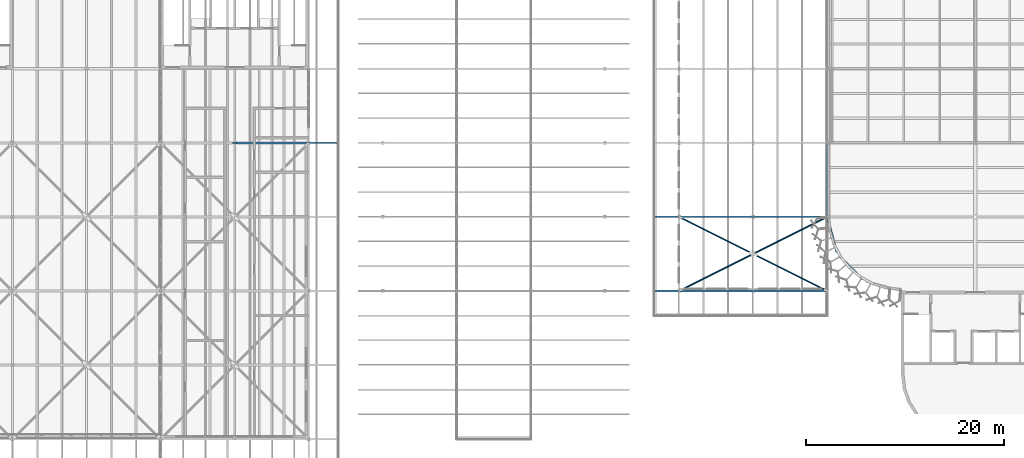
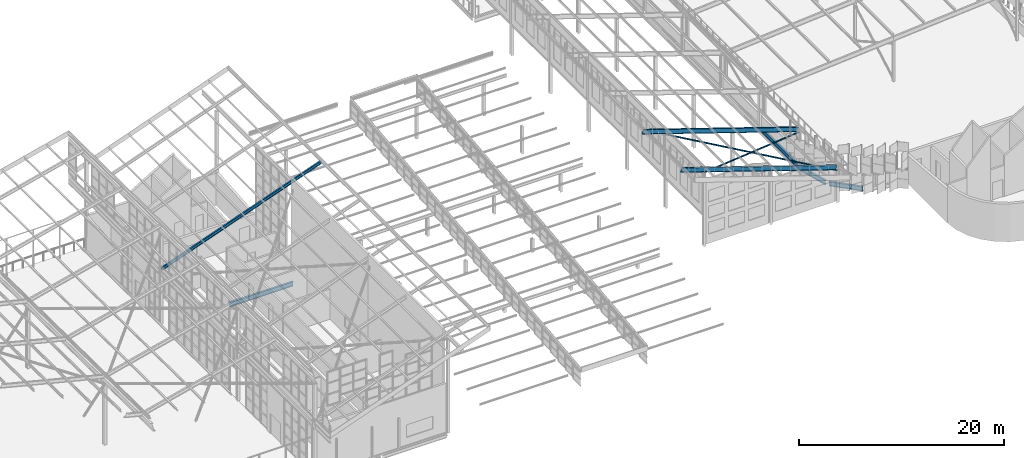
# One storey, part 58 of 483: 6 beams, 4 members.
"""IFC4 building model written with IfcOpenShell, lengths in metres."""

import ifcopenshell
import ifcopenshell.guid

model = None  # the IFC model being written
_history = None  # IfcOwnerHistory: only IFC2X3 demands one
_inside = {}  # id of a spatial element -> (the spatial element, [elements in it])
_under = {}  # id of a project, library or spatial element -> (it, [spatial elements below it])
_declared = {}  # id of a project -> (the project, [libraries it declares])
_typed = {}  # id of a type object -> (the type object, [elements of that type])
_made_of = {}  # id of a material, layer set ... -> (it, [elements and type objects made of it])


def new_model(schema):
    """Start an empty IFC model of exactly this schema.

    Asked for "IFC4X3", IfcOpenShell would pick the latest addendum, in which some entities
    have other attributes; the version numbers below select the first issue.
    IFC2X3 requires an IfcOwnerHistory on every rooted entity: one is made here for all.
    """
    global model, _history
    if schema == "IFC4X3":
        model = ifcopenshell.file(schema_version=(4, 3, 0, 0))
    else:
        model = ifcopenshell.file(schema=schema)
    _inside.clear()
    _under.clear()
    _declared.clear()
    _typed.clear()
    _made_of.clear()
    _history = None
    if model.schema == "IFC2X3":
        org = make("IfcOrganization", Name="unknown")
        user = make(
            "IfcPersonAndOrganization",
            ThePerson=make("IfcPerson", FamilyName="unknown"),
            TheOrganization=org,
        )
        app = make(
            "IfcApplication",
            ApplicationDeveloper=org,
            Version="unknown",
            ApplicationFullName="unknown",
            ApplicationIdentifier="unknown",
        )
        _history = make(
            "IfcOwnerHistory",
            OwningUser=user,
            OwningApplication=app,
            ChangeAction="ADDED",
            CreationDate=0,
        )
    return model


def make(cls, **values):
    """One entity of the class cls with the attributes given. An attribute that is None is left unset."""
    return model.create_entity(
        cls, **{name: value for name, value in values.items() if value is not None}
    )


def rooted(cls, **values):
    """An entity with a GlobalId (a new one), such as an element, a storey or a relation."""
    return make(cls, GlobalId=ifcopenshell.guid.new(), OwnerHistory=_history, **values)


def si_unit(unit_type, name, prefix=None):
    """IfcSIUnit, for example si_unit("LENGTHUNIT", "METRE", prefix="MILLI")."""
    return make("IfcSIUnit", UnitType=unit_type, Prefix=prefix, Name=name)


def assignment(units):
    """IfcUnitAssignment: the units of a project."""
    return None if units is None else make("IfcUnitAssignment", Units=units)


def point(xyz):
    """IfcCartesianPoint."""
    return None if xyz is None else make("IfcCartesianPoint", Coordinates=xyz)


def direction(xyz):
    """IfcDirection."""
    return None if xyz is None else make("IfcDirection", DirectionRatios=xyz)


def frame(location, z_axis=None, x_axis=None):
    """IfcAxis2Placement3D, a coordinate frame: its origin and axes. An axis left out is left unset."""
    return make(
        "IfcAxis2Placement3D",
        Location=point(location),
        Axis=direction(z_axis),
        RefDirection=direction(x_axis),
    )


def frame_2d(location, x_axis=None):
    """IfcAxis2Placement2D, a coordinate frame in the plane: its origin and x axis."""
    return make(
        "IfcAxis2Placement2D", Location=point(location), RefDirection=direction(x_axis)
    )


def origin():
    """The frame at (0, 0, 0) with its axes left unset."""
    return frame((0.0, 0.0, 0.0))


def origin_2d():
    """The frame at (0, 0) in the plane with its x axis left unset."""
    return frame_2d((0.0, 0.0))


def place(relative_to, where):
    """IfcLocalPlacement: puts the frame where relative to a parent placement (None: the world)."""
    return make(
        "IfcLocalPlacement", PlacementRelTo=relative_to, RelativePlacement=where
    )


def context(
    kind, dimensions, precision=None, world=None, true_north=None, identifier=None
):
    """IfcGeometricRepresentationContext, for example the 3D "Model" context."""
    return make(
        "IfcGeometricRepresentationContext",
        ContextIdentifier=identifier,
        ContextType=kind,
        CoordinateSpaceDimension=dimensions,
        Precision=precision,
        WorldCoordinateSystem=world,
        TrueNorth=true_north,
    )


def subcontext(parent, identifier, kind, view, scale=None):
    """IfcGeometricRepresentationSubContext, for example "Body" below "Model"."""
    return make(
        "IfcGeometricRepresentationSubContext",
        ContextIdentifier=identifier,
        ContextType=kind,
        ParentContext=parent,
        TargetScale=scale,
        TargetView=view,
    )


def project(units=None, contexts=None):
    """IfcProject with its units and contexts."""
    return rooted(
        "IfcProject",
        Name="project",
        RepresentationContexts=contexts,
        UnitsInContext=assignment(units),
    )


def spatial(cls, under=None, at=None, **own):
    """A site, building, storey or space (cls), placed at a placement, below another one or the project."""
    s = rooted(cls, ObjectPlacement=at, **own)
    if under is not None:
        _under.setdefault(under.id(), (under, []))[1].append(s)
    return s


def profile(cls, at=None, kind="AREA", **sizes):
    """A parametric profile (cls). Its sizes go by their IFC names, for example OverallWidth=200.0."""
    return make(cls, ProfileType=kind, Position=at, **sizes)


def hollow_circle(**sizes):
    """IfcCircleHollowProfileDef."""
    return profile("IfcCircleHollowProfileDef", **sizes)


def i_section(**sizes):
    """IfcIShapeProfileDef."""
    return profile("IfcIShapeProfileDef", **sizes)


def extrude(swept, where, along, depth):
    """IfcExtrudedAreaSolid: the profile swept, set in the frame where, extruded along a direction by depth."""
    return make(
        "IfcExtrudedAreaSolid",
        SweptArea=swept,
        Position=where,
        ExtrudedDirection=direction(along),
        Depth=depth,
    )


def shape(context_of_items, identifier, shape_type, items):
    """IfcShapeRepresentation: the items that make up one representation, for example the "Body"."""
    return make(
        "IfcShapeRepresentation",
        ContextOfItems=context_of_items,
        RepresentationIdentifier=identifier,
        RepresentationType=shape_type,
        Items=items,
    )


def material(Name=None, Category=None):
    """IfcMaterial."""
    return make("IfcMaterial", Name=Name, Category=Category)


def material_profile(
    of_material, cross_section, Name=None, Category=None, Priority=None
):
    """IfcMaterialProfile: a cross section and its material."""
    return make(
        "IfcMaterialProfile",
        Name=Name,
        Material=of_material,
        Profile=cross_section,
        Priority=Priority,
        Category=Category,
    )


def profile_set(profiles, Name=None, composite=None):
    """IfcMaterialProfileSet."""
    return make(
        "IfcMaterialProfileSet",
        Name=Name,
        MaterialProfiles=profiles,
        CompositeProfile=composite,
    )


def made_of(thing, what):
    """Note that an element or type object is made of a material, layer set ...; save() writes the relation."""
    if what is not None:
        _made_of.setdefault(what.id(), (what, []))[1].append(thing)
    return thing


def type_object(cls, material=None, **own):
    """A type object (cls), such as IfcWallType, which elements share."""
    return made_of(rooted(cls, **own), material)


def element(
    cls,
    number,
    at=None,
    inside=None,
    cuts=None,
    type_object=None,
    material=None,
    context=None,
    identifier="Body",
    shape_type=None,
    held_by="IfcProductDefinitionShape",
    body=None,
    shapes=None,
    **own,
):
    """One element of the class cls, such as IfcWall. Its Tag is "e" and its number.

    at: its placement. inside: the storey or other place that contains it. cuts: it is an
    opening in that element (IfcRelVoidsElement). A single representation is given by context,
    identifier, shape_type and body (its items); several are given by shapes. held_by: the class
    of the entity that holds the representations. save() writes the other relations.
    """
    e = rooted(cls, Tag="e%d" % number, ObjectPlacement=at, **own)
    if body is not None:
        shapes = [shape(context, identifier, shape_type, body)]
    if shapes is not None:
        e.Representation = make(held_by, Representations=shapes)
    if inside is not None:
        _inside.setdefault(inside.id(), (inside, []))[1].append(e)
    if cuts is not None:
        rooted(
            "IfcRelVoidsElement", RelatingBuildingElement=cuts, RelatedOpeningElement=e
        )
    if type_object is not None:
        _typed.setdefault(type_object.id(), (type_object, []))[1].append(e)
    return made_of(e, material)


def aggregate(whole, parts):
    """IfcRelAggregates: a whole, such as a stair, and the parts it consists of."""
    return rooted("IfcRelAggregates", RelatingObject=whole, RelatedObjects=parts)


def save(model, path):
    """Write the relations noted so far, then the file.

    IfcRelAggregates (storeys below a building ...), IfcRelContainedInSpatialStructure (elements
    in a storey), IfcRelDefinesByType, IfcRelAssociatesMaterial and IfcRelDeclares: one each for
    every whole, place, type object, material and project.
    """
    for whole, parts in _under.values():
        aggregate(whole, parts)
    for where, things in _inside.values():
        rooted(
            "IfcRelContainedInSpatialStructure",
            RelatedElements=things,
            RelatingStructure=where,
        )
    for kind, things in _typed.values():
        rooted("IfcRelDefinesByType", RelatedObjects=things, RelatingType=kind)
    for what, things in _made_of.values():
        rooted("IfcRelAssociatesMaterial", RelatedObjects=things, RelatingMaterial=what)
    for by, libraries in _declared.values():
        rooted("IfcRelDeclares", RelatingContext=by, RelatedDefinitions=libraries)
    model.write(path)


model = new_model("IFC4")

# Units and contexts
model_context = context("Model", 3, precision=1e-05, world=origin(), true_north=direction((0.0, 1.0)))
body_context = subcontext(model_context, "Body", "Model", "MODEL_VIEW")
ifc_project = project(units=[si_unit("LENGTHUNIT", "METRE"), si_unit("AREAUNIT", "SQUARE_METRE"), si_unit("VOLUMEUNIT", "CUBIC_METRE"), si_unit("PLANEANGLEUNIT", "RADIAN"), si_unit("MASSUNIT", "GRAM", prefix="KILO")], contexts=[model_context])

# Site, building, storey
site_placement = place(None, origin())
site = spatial("IfcSite", under=ifc_project, at=site_placement, CompositionType="ELEMENT")
building_placement = place(site_placement, origin())
building = spatial("IfcBuilding", under=site, at=building_placement, Name="Parallax Yard Mobility Hub", CompositionType="ELEMENT")
storey_placement = place(building_placement, frame((0.0, 0.0, 13.199951171875)))
storey = spatial("IfcBuildingStorey", under=building, at=storey_placement, Name="L04", CompositionType="ELEMENT", Elevation=13.199951171875)

# Members
ifc_material_1 = material(Name="Steel ASTM A500 Gr C", Category="steel")
ifc_material_profile_1 = material_profile(ifc_material_1, hollow_circle(Radius=0.084228515625, WallThickness=0.007080078125, at=origin_2d()), Name="HSS168.3x7.1")
ifc_profile_set_1 = profile_set([ifc_material_profile_1], Name="Steel ASTM A500 Gr C")
member_type_1 = type_object("IfcMemberType", Name="Roof brace HSS168.3x7.1", PredefinedType="BRACE", material=ifc_profile_set_1)
member_1_placement = place(storey_placement, frame((180.0, 22.5, 8.71142578125), z_axis=(0.857142857143, 0.428571428571, -0.285714285714), x_axis=(-0.4472135955, 0.894427191, 0.0)))
element("IfcMember", 1, at=member_1_placement, inside=storey, type_object=member_type_1, Name="Roof X brace end bay 1 1", PredefinedType="BRACE", context=body_context, shape_type="SweptSolid", body=[
    extrude(hollow_circle(Radius=0.084228515625, WallThickness=0.007080078125, at=origin_2d()), origin(), (0.0, 0.0, 1.0), 17.5),
])
for number, where, z_axis, x_axis, name in (
    (2, (195.0, 22.5, 3.71142578125), (-0.857149765539, 0.42857488277, 0.285688377949), (-0.4472135955, -0.894427191, 0.0), "Roof X brace end bay 1 2 (half 1)"),
    (3, (187.41796875, 26.291015625, 6.23876953125), (-0.857142857143, 0.428571428571, 0.285714285714), (-0.4472135955, -0.894427191, 0.0), "Roof X brace end bay 1 2 (half 2)"),
):
    element("IfcMember", number, at=place(storey_placement, frame(where, z_axis=z_axis, x_axis=x_axis)), inside=storey, type_object=member_type_1, Name=name, PredefinedType="BRACE", context=body_context, shape_type="SweptSolid", body=[
        extrude(hollow_circle(Radius=0.084228515625, WallThickness=0.007080078125, at=origin_2d()), origin(), (0.0, 0.0, 1.0), 8.654296875),
    ])
ifc_material_2 = material(Name="Steel ASTM A992", Category="steel")
ifc_material_profile_2 = material_profile(ifc_material_2, i_section(OverallWidth=0.1708984375, OverallDepth=0.35498046875, WebThickness=0.007080078125, FlangeThickness=0.01171875, at=origin_2d()), Name="W360x51")
ifc_profile_set_2 = profile_set([ifc_material_profile_2], Name="Steel ASTM A992")
member_type_2 = type_object("IfcMemberType", Name="Roof rafter W360x51", PredefinedType="RAFTER", material=ifc_profile_set_2)
member_2_placement = place(storey_placement, frame((127.56005859375, 37.5, 6.499267578125), z_axis=(0.940884475378, 0.0, 0.33872762508), x_axis=(0.0, 1.0, 0.0)))
element("IfcMember", 4, at=member_2_placement, inside=storey, type_object=member_type_2, Name="Roof rafter pavilion at y 37.5", PredefinedType="RAFTER", context=body_context, shape_type="SweptSolid", body=[
    extrude(i_section(OverallWidth=0.1708984375, OverallDepth=0.35498046875, WebThickness=0.007080078125, FlangeThickness=0.01171875, at=origin_2d()), origin(), (0.0, 0.0, 1.0), 19.07763671875),
])

# Beams
ifc_material_profile_3 = material_profile(ifc_material_2, i_section(OverallWidth=0.166015625, OverallDepth=0.529052734375, WebThickness=0.009765625, FlangeThickness=0.013671875, at=origin_2d()), Name="W530x74")
ifc_profile_set_3 = profile_set([ifc_material_profile_3], Name="Steel ASTM A992")
beam_type_1 = type_object("IfcBeamType", Name="Roof rafter W530x74", PredefinedType="BEAM", material=ifc_profile_set_3)
for number, where, z_axis, x_axis, name in (
    (5, (177.41650390625, 22.5, 9.93994140625), (0.948684621542, 0.0, -0.316223795515), (0.0, 1.0, 0.0), "Roof rafter at y 22.5"),
    (6, (177.41650390625, 30.0, 9.93994140625), (0.948684621542, 0.0, -0.316223795515), (0.0, 1.0, 0.0), "Roof rafter at y 30"),
):
    element("IfcBeam", number, at=place(storey_placement, frame(where, z_axis=z_axis, x_axis=x_axis)), inside=storey, type_object=beam_type_1, Name=name, PredefinedType="BEAM", context=body_context, shape_type="SweptSolid", body=[
        extrude(i_section(OverallWidth=0.166015625, OverallDepth=0.529052734375, WebThickness=0.009765625, FlangeThickness=0.013671875, at=origin_2d()), origin(), (0.0, 0.0, 1.0), 18.446533203125),
    ])
ifc_material_profile_4 = material_profile(ifc_material_2, i_section(OverallWidth=0.208984375, OverallDepth=0.532958984375, WebThickness=0.01025390625, FlangeThickness=0.015625, FilletRadius=0.0126953125, at=origin_2d()), Name="W530x92")
ifc_profile_set_4 = profile_set([ifc_material_profile_4], Name="Steel ASTM A992")
beam_type_2 = type_object("IfcBeamType", Name="W530x92 edge beam", PredefinedType="SPANDREL", material=ifc_profile_set_4)
beam_1_placement = place(storey_placement, frame((195.0, 30.153564453125, -0.406494140625), z_axis=(0.0, 1.0, 0.0), x_axis=(-1.0, 0.0, 0.0)))
element("IfcBeam", 7, at=beam_1_placement, inside=storey, type_object=beam_type_2, Name="Edge beam SB5 level L04, line 27 of ramped parking decks, span 1", PredefinedType="SPANDREL", context=body_context, shape_type="SweptSolid", body=[
    extrude(i_section(OverallWidth=0.208984375, OverallDepth=0.532958984375, WebThickness=0.01025390625, FlangeThickness=0.015625, FilletRadius=0.0126953125, at=origin_2d()), origin(), (0.0, 0.0, 1.0), 7.19384765625),
])
beam_2_placement = place(storey_placement, frame((195.041015625, 29.846435546875, -0.406494140625), z_axis=(0.258843360847, -0.965919310577, 0.0), x_axis=(0.965919310577, 0.258843360847, 0.0)))
element("IfcBeam", 8, at=beam_2_placement, inside=storey, type_object=beam_type_2, Name="Edge beam SB5 level L04, the south end of ramped parking decks, span 1", PredefinedType="SPANDREL", context=body_context, shape_type="SweptSolid", body=[
    extrude(i_section(OverallWidth=0.208984375, OverallDepth=0.532958984375, WebThickness=0.01025390625, FlangeThickness=0.015625, FilletRadius=0.0126953125, at=origin_2d()), origin(), (0.0, 0.0, 1.0), 3.564453125),
])
beam_3_placement = place(storey_placement, frame((196.1572265625, 26.097412109375, -0.406494140625), z_axis=(0.707106781187, -0.707106781187, 0.0), x_axis=(0.707106781187, 0.707106781187, 0.0)))
element("IfcBeam", 9, at=beam_3_placement, inside=storey, type_object=beam_type_2, Name="Edge beam SB5 level L04, the south end of ramped parking decks, span 2", PredefinedType="SPANDREL", context=body_context, shape_type="SweptSolid", body=[
    extrude(i_section(OverallWidth=0.208984375, OverallDepth=0.532958984375, WebThickness=0.01025390625, FlangeThickness=0.015625, FilletRadius=0.0126953125, at=origin_2d()), origin(), (0.0, 0.0, 1.0), 3.450927734375),
])
ifc_material_profile_5 = material_profile(ifc_material_2, i_section(OverallWidth=0.208984375, OverallDepth=0.532958984375, WebThickness=0.01025390625, FlangeThickness=0.015625, FilletRadius=0.0126953125, at=origin_2d()), Name="W530x92")
ifc_profile_set_5 = profile_set([ifc_material_profile_5], Name="Steel ASTM A992")
beam_type_3 = type_object("IfcBeamType", Name="W530x92 longitudinal beam", PredefinedType="BEAM", material=ifc_profile_set_5)
beam_4_placement = place(storey_placement, frame((135.197021484375, 37.5, -0.406494140625), z_axis=(1.0, 0.0, 0.0), x_axis=(0.0, 1.0, 0.0)))
element("IfcBeam", 10, at=beam_4_placement, inside=storey, type_object=beam_type_3, Name="Longitudinal beam SB6 level L04, line F of mobility service centre and workshops, span 6", PredefinedType="BEAM", context=body_context, shape_type="SweptSolid", body=[
    extrude(i_section(OverallWidth=0.208984375, OverallDepth=0.532958984375, WebThickness=0.01025390625, FlangeThickness=0.015625, FilletRadius=0.0126953125, at=origin_2d()), origin(), (0.0, 0.0, 1.0), 7.1494140625),
])

save(model, "model.ifc")
